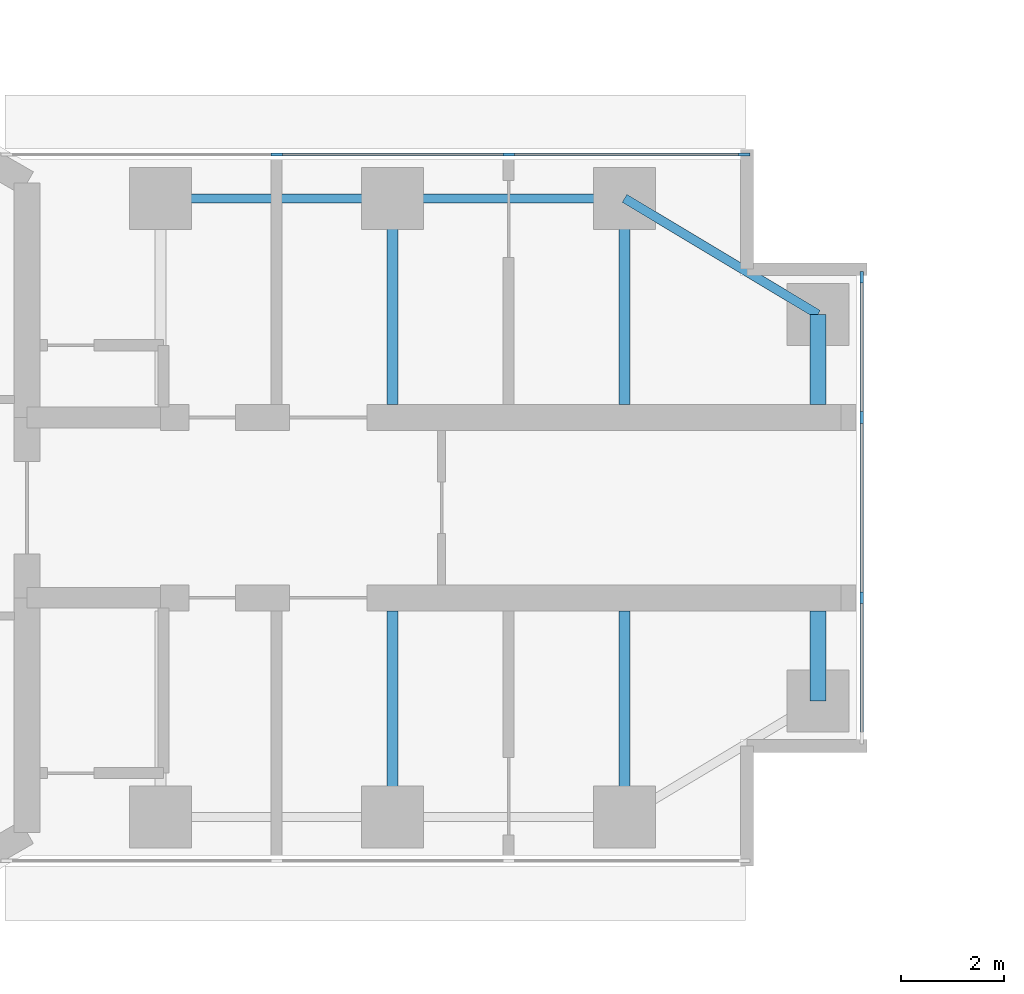
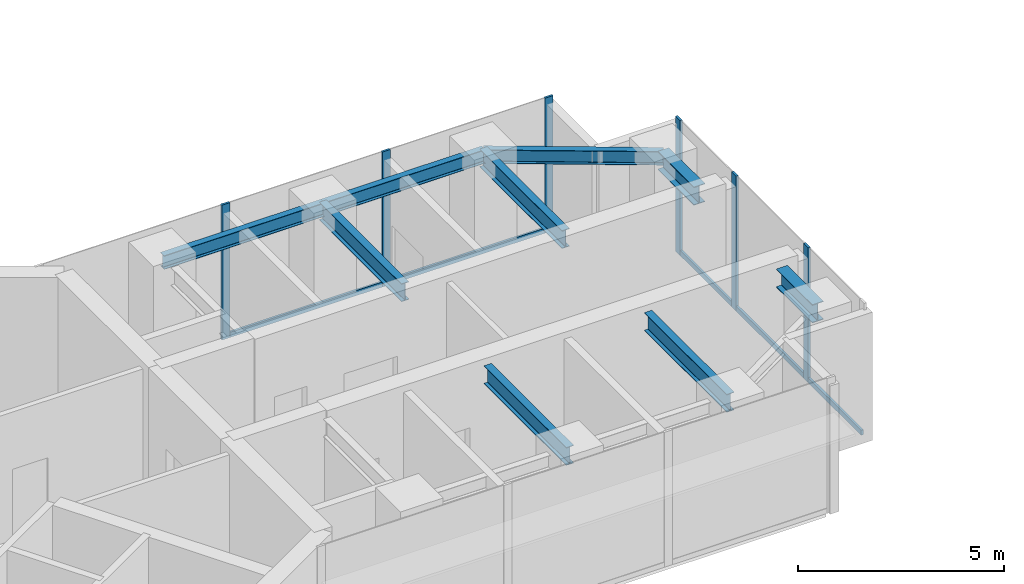
# One storey, part 7 of 17: 11 members, 9 beams, 2 elements without a shape of their own.
"""IFC4 building model written with IfcOpenShell, lengths in metres."""

import ifcopenshell
import ifcopenshell.guid

model = None  # the IFC model being written
_history = None  # IfcOwnerHistory: only IFC2X3 demands one
_inside = {}  # id of a spatial element -> (the spatial element, [elements in it])
_under = {}  # id of a project, library or spatial element -> (it, [spatial elements below it])
_declared = {}  # id of a project -> (the project, [libraries it declares])
_typed = {}  # id of a type object -> (the type object, [elements of that type])
_made_of = {}  # id of a material, layer set ... -> (it, [elements and type objects made of it])


def new_model(schema):
    """Start an empty IFC model of exactly this schema.

    Asked for "IFC4X3", IfcOpenShell would pick the latest addendum, in which some entities
    have other attributes; the version numbers below select the first issue.
    IFC2X3 requires an IfcOwnerHistory on every rooted entity: one is made here for all.
    """
    global model, _history
    if schema == "IFC4X3":
        model = ifcopenshell.file(schema_version=(4, 3, 0, 0))
    else:
        model = ifcopenshell.file(schema=schema)
    _inside.clear()
    _under.clear()
    _declared.clear()
    _typed.clear()
    _made_of.clear()
    _history = None
    if model.schema == "IFC2X3":
        org = make("IfcOrganization", Name="unknown")
        user = make(
            "IfcPersonAndOrganization",
            ThePerson=make("IfcPerson", FamilyName="unknown"),
            TheOrganization=org,
        )
        app = make(
            "IfcApplication",
            ApplicationDeveloper=org,
            Version="unknown",
            ApplicationFullName="unknown",
            ApplicationIdentifier="unknown",
        )
        _history = make(
            "IfcOwnerHistory",
            OwningUser=user,
            OwningApplication=app,
            ChangeAction="ADDED",
            CreationDate=0,
        )
    return model


def make(cls, **values):
    """One entity of the class cls with the attributes given. An attribute that is None is left unset."""
    return model.create_entity(
        cls, **{name: value for name, value in values.items() if value is not None}
    )


def rooted(cls, **values):
    """An entity with a GlobalId (a new one), such as an element, a storey or a relation."""
    return make(cls, GlobalId=ifcopenshell.guid.new(), OwnerHistory=_history, **values)


def si_unit(unit_type, name, prefix=None):
    """IfcSIUnit, for example si_unit("LENGTHUNIT", "METRE", prefix="MILLI")."""
    return make("IfcSIUnit", UnitType=unit_type, Prefix=prefix, Name=name)


def assignment(units):
    """IfcUnitAssignment: the units of a project."""
    return None if units is None else make("IfcUnitAssignment", Units=units)


def point(xyz):
    """IfcCartesianPoint."""
    return None if xyz is None else make("IfcCartesianPoint", Coordinates=xyz)


def direction(xyz):
    """IfcDirection."""
    return None if xyz is None else make("IfcDirection", DirectionRatios=xyz)


def frame(location, z_axis=None, x_axis=None):
    """IfcAxis2Placement3D, a coordinate frame: its origin and axes. An axis left out is left unset."""
    return make(
        "IfcAxis2Placement3D",
        Location=point(location),
        Axis=direction(z_axis),
        RefDirection=direction(x_axis),
    )


def frame_2d(location, x_axis=None):
    """IfcAxis2Placement2D, a coordinate frame in the plane: its origin and x axis."""
    return make(
        "IfcAxis2Placement2D", Location=point(location), RefDirection=direction(x_axis)
    )


def origin():
    """The frame at (0, 0, 0) with its axes left unset."""
    return frame((0.0, 0.0, 0.0))


def origin_2d():
    """The frame at (0, 0) in the plane with its x axis left unset."""
    return frame_2d((0.0, 0.0))


def place(relative_to, where):
    """IfcLocalPlacement: puts the frame where relative to a parent placement (None: the world)."""
    return make(
        "IfcLocalPlacement", PlacementRelTo=relative_to, RelativePlacement=where
    )


def context(
    kind, dimensions, precision=None, world=None, true_north=None, identifier=None
):
    """IfcGeometricRepresentationContext, for example the 3D "Model" context."""
    return make(
        "IfcGeometricRepresentationContext",
        ContextIdentifier=identifier,
        ContextType=kind,
        CoordinateSpaceDimension=dimensions,
        Precision=precision,
        WorldCoordinateSystem=world,
        TrueNorth=true_north,
    )


def subcontext(parent, identifier, kind, view, scale=None):
    """IfcGeometricRepresentationSubContext, for example "Body" below "Model"."""
    return make(
        "IfcGeometricRepresentationSubContext",
        ContextIdentifier=identifier,
        ContextType=kind,
        ParentContext=parent,
        TargetScale=scale,
        TargetView=view,
    )


def project(units=None, contexts=None):
    """IfcProject with its units and contexts."""
    return rooted(
        "IfcProject",
        Name="project",
        RepresentationContexts=contexts,
        UnitsInContext=assignment(units),
    )


def spatial(cls, under=None, at=None, **own):
    """A site, building, storey or space (cls), placed at a placement, below another one or the project."""
    s = rooted(cls, ObjectPlacement=at, **own)
    if under is not None:
        _under.setdefault(under.id(), (under, []))[1].append(s)
    return s


def profile(cls, at=None, kind="AREA", **sizes):
    """A parametric profile (cls). Its sizes go by their IFC names, for example OverallWidth=200.0."""
    return make(cls, ProfileType=kind, Position=at, **sizes)


def rectangle(**sizes):
    """IfcRectangleProfileDef."""
    return profile("IfcRectangleProfileDef", **sizes)


def i_section(**sizes):
    """IfcIShapeProfileDef."""
    return profile("IfcIShapeProfileDef", **sizes)


def extrude(swept, where, along, depth):
    """IfcExtrudedAreaSolid: the profile swept, set in the frame where, extruded along a direction by depth."""
    return make(
        "IfcExtrudedAreaSolid",
        SweptArea=swept,
        Position=where,
        ExtrudedDirection=direction(along),
        Depth=depth,
    )


def shape(context_of_items, identifier, shape_type, items):
    """IfcShapeRepresentation: the items that make up one representation, for example the "Body"."""
    return make(
        "IfcShapeRepresentation",
        ContextOfItems=context_of_items,
        RepresentationIdentifier=identifier,
        RepresentationType=shape_type,
        Items=items,
    )


def material(Name=None, Category=None):
    """IfcMaterial."""
    return make("IfcMaterial", Name=Name, Category=Category)


def material_profile(
    of_material, cross_section, Name=None, Category=None, Priority=None
):
    """IfcMaterialProfile: a cross section and its material."""
    return make(
        "IfcMaterialProfile",
        Name=Name,
        Material=of_material,
        Profile=cross_section,
        Priority=Priority,
        Category=Category,
    )


def profile_set(profiles, Name=None, composite=None):
    """IfcMaterialProfileSet."""
    return make(
        "IfcMaterialProfileSet",
        Name=Name,
        MaterialProfiles=profiles,
        CompositeProfile=composite,
    )


def made_of(thing, what):
    """Note that an element or type object is made of a material, layer set ...; save() writes the relation."""
    if what is not None:
        _made_of.setdefault(what.id(), (what, []))[1].append(thing)
    return thing


def type_object(cls, material=None, **own):
    """A type object (cls), such as IfcWallType, which elements share."""
    return made_of(rooted(cls, **own), material)


def element(
    cls,
    number,
    at=None,
    inside=None,
    cuts=None,
    type_object=None,
    material=None,
    context=None,
    identifier="Body",
    shape_type=None,
    held_by="IfcProductDefinitionShape",
    body=None,
    shapes=None,
    **own,
):
    """One element of the class cls, such as IfcWall. Its Tag is "e" and its number.

    at: its placement. inside: the storey or other place that contains it. cuts: it is an
    opening in that element (IfcRelVoidsElement). A single representation is given by context,
    identifier, shape_type and body (its items); several are given by shapes. held_by: the class
    of the entity that holds the representations. save() writes the other relations.
    """
    e = rooted(cls, Tag="e%d" % number, ObjectPlacement=at, **own)
    if body is not None:
        shapes = [shape(context, identifier, shape_type, body)]
    if shapes is not None:
        e.Representation = make(held_by, Representations=shapes)
    if inside is not None:
        _inside.setdefault(inside.id(), (inside, []))[1].append(e)
    if cuts is not None:
        rooted(
            "IfcRelVoidsElement", RelatingBuildingElement=cuts, RelatedOpeningElement=e
        )
    if type_object is not None:
        _typed.setdefault(type_object.id(), (type_object, []))[1].append(e)
    return made_of(e, material)


def aggregate(whole, parts):
    """IfcRelAggregates: a whole, such as a stair, and the parts it consists of."""
    return rooted("IfcRelAggregates", RelatingObject=whole, RelatedObjects=parts)


def save(model, path):
    """Write the relations noted so far, then the file.

    IfcRelAggregates (storeys below a building ...), IfcRelContainedInSpatialStructure (elements
    in a storey), IfcRelDefinesByType, IfcRelAssociatesMaterial and IfcRelDeclares: one each for
    every whole, place, type object, material and project.
    """
    for whole, parts in _under.values():
        aggregate(whole, parts)
    for where, things in _inside.values():
        rooted(
            "IfcRelContainedInSpatialStructure",
            RelatedElements=things,
            RelatingStructure=where,
        )
    for kind, things in _typed.values():
        rooted("IfcRelDefinesByType", RelatedObjects=things, RelatingType=kind)
    for what, things in _made_of.values():
        rooted("IfcRelAssociatesMaterial", RelatedObjects=things, RelatingMaterial=what)
    for by, libraries in _declared.values():
        rooted("IfcRelDeclares", RelatingContext=by, RelatedDefinitions=libraries)
    model.write(path)


model = new_model("IFC4")

# Units and contexts
model_context = context("Model", 3, precision=1e-05, world=origin(), true_north=direction((0.0, 1.0)))
body_context = subcontext(model_context, "Body", "Model", "MODEL_VIEW")
ifc_project = project(units=[si_unit("LENGTHUNIT", "METRE"), si_unit("AREAUNIT", "SQUARE_METRE"), si_unit("VOLUMEUNIT", "CUBIC_METRE"), si_unit("PLANEANGLEUNIT", "RADIAN"), si_unit("MASSUNIT", "GRAM", prefix="KILO")], contexts=[model_context])

# Site, building, storey
site_placement = place(None, origin())
site = spatial("IfcSite", under=ifc_project, at=site_placement, CompositionType="ELEMENT")
building_placement = place(site_placement, origin())
building = spatial("IfcBuilding", under=site, at=building_placement, Name="Upepo Twin Towers", CompositionType="ELEMENT")
storey_placement = place(building_placement, frame((0.0, 0.0, 186.5)))
storey = spatial("IfcBuildingStorey", under=building, at=storey_placement, Name="L45", CompositionType="ELEMENT", Elevation=186.5)

# Beams
ifc_material_1 = material(Name="Steel S355", Category="steel")
ifc_material_profile_1 = material_profile(ifc_material_1, i_section(OverallWidth=0.177978515625, OverallDepth=0.406494140625, WebThickness=0.0078125, FlangeThickness=0.0126953125, FilletRadius=0.01025390625, at=origin_2d()), Name="UB 406x178x60")
ifc_profile_set_1 = profile_set([ifc_material_profile_1], Name="Steel S355")
beam_type_1 = type_object("IfcBeamType", Name="Beam UB 406x178x60", PredefinedType="BEAM", material=ifc_profile_set_1)
for number, where, z_axis, x_axis, name in (
    (1, (13.5, 6.0, 3.5966796875), (1.0, 0.0, 0.0), (0.0, 1.0, 0.0), "T1 edge beam AL 13.5-18.0"),
    (2, (18.0, 6.0, 3.5966796875), (1.0, 0.0, 0.0), (0.0, 1.0, 0.0), "T1 edge beam AL 18.0-22.5"),
):
    element("IfcBeam", number, at=place(storey_placement, frame(where, z_axis=z_axis, x_axis=x_axis)), inside=storey, type_object=beam_type_1, Name=name, PredefinedType="BEAM", context=body_context, shape_type="SweptSolid", body=[
        extrude(i_section(OverallWidth=0.177978515625, OverallDepth=0.406494140625, WebThickness=0.0078125, FlangeThickness=0.0126953125, FilletRadius=0.01025390625, at=origin_2d()), origin(), (0.0, 0.0, 1.0), 4.5),
    ])
beam_placement = place(storey_placement, frame((22.5, 6.0, 3.5966796875), z_axis=(0.857492925713, -0.514495755428, 0.0), x_axis=(0.514495755428, 0.857492925713, 0.0)))
element("IfcBeam", 3, at=beam_placement, inside=storey, type_object=beam_type_1, Name="T1 nose edge beam AL", PredefinedType="BEAM", context=body_context, shape_type="SweptSolid", body=[
    extrude(i_section(OverallWidth=0.177978515625, OverallDepth=0.406494140625, WebThickness=0.0078125, FlangeThickness=0.0126953125, FilletRadius=0.01025390625, at=origin_2d()), origin(), (0.0, 0.0, 1.0), 4.373291015625),
])
ifc_material_2 = material(Name="Steel S355", Category="steel")
ifc_material_profile_2 = material_profile(ifc_material_2, i_section(OverallWidth=0.209228515625, OverallDepth=0.533203125, WebThickness=0.010009765625, FlangeThickness=0.015625, FilletRadius=0.0126953125, at=origin_2d()), Name="UB 533x210x92")
ifc_profile_set_2 = profile_set([ifc_material_profile_2], Name="Steel S355")
beam_type_2 = type_object("IfcBeamType", Name="Beam UB 533x210x92", PredefinedType="BEAM", material=ifc_profile_set_2)
for number, where, z_axis, x_axis, name in (
    (4, (18.0, 6.0, 3.533447265625), (0.0, -1.0, 0.0), (1.0, 0.0, 0.0), "T1 girder AL at 18.0"),
    (5, (22.5, 6.0, 3.533447265625), (0.0, -1.0, 0.0), (1.0, 0.0, 0.0), "T1 girder AL at 22.5"),
    (6, (18.0, -6.0, 3.533447265625), (0.0, 1.0, 0.0), (-1.0, 0.0, 0.0), "T1 girder AR at 18.0"),
    (7, (22.5, -6.0, 3.533447265625), (0.0, 1.0, 0.0), (-1.0, 0.0, 0.0), "T1 girder AR at 22.5"),
):
    element("IfcBeam", number, at=place(storey_placement, frame(where, z_axis=z_axis, x_axis=x_axis)), inside=storey, type_object=beam_type_2, Name=name, PredefinedType="BEAM", context=body_context, shape_type="SweptSolid", body=[
        extrude(i_section(OverallWidth=0.209228515625, OverallDepth=0.533203125, WebThickness=0.010009765625, FlangeThickness=0.015625, FilletRadius=0.0126953125, at=origin_2d()), origin(), (0.0, 0.0, 1.0), 4.0),
    ])
ifc_material_3 = material(Name="Steel S355", Category="steel")
ifc_material_profile_3 = material_profile(ifc_material_3, i_section(OverallWidth=0.31201171875, OverallDepth=0.54345703125, WebThickness=0.0126953125, FlangeThickness=0.020263671875, FilletRadius=0.0126953125, at=origin_2d()), Name="UB 533x312x150")
ifc_profile_set_3 = profile_set([ifc_material_profile_3], Name="Steel S355")
beam_type_3 = type_object("IfcBeamType", Name="Beam UB 533x312x150", PredefinedType="BEAM", material=ifc_profile_set_3)
for number, where, z_axis, x_axis, name in (
    (8, (26.25, 3.75, 3.5283203125), (0.0, -1.0, 0.0), (1.0, 0.0, 0.0), "T1 nose beam AL"),
    (9, (26.25, -3.75, 3.5283203125), (0.0, 1.0, 0.0), (-1.0, 0.0, 0.0), "T1 nose beam AR"),
):
    element("IfcBeam", number, at=place(storey_placement, frame(where, z_axis=z_axis, x_axis=x_axis)), inside=storey, type_object=beam_type_3, Name=name, PredefinedType="BEAM", context=body_context, shape_type="SweptSolid", body=[
        extrude(i_section(OverallWidth=0.31201171875, OverallDepth=0.54345703125, WebThickness=0.0126953125, FlangeThickness=0.020263671875, FilletRadius=0.0126953125, at=origin_2d()), origin(), (0.0, 0.0, 1.0), 1.75),
    ])

# Curtain wall, members
ifc_material_4 = material(Name="Aluminium and fritted glass", Category="aluminium")
curtain_wall_type = type_object("IfcCurtainWallType", Name="Tower curtain wall TW3, fritted glass", PredefinedType="NOTDEFINED", material=ifc_material_4)
curtain_wall_1_placement = place(storey_placement, origin())
curtain_wall_1 = element("IfcCurtainWall", 10, at=curtain_wall_1_placement, inside=storey, type_object=curtain_wall_type, Name="T1 L45 wing A flank L curtain wall", PredefinedType="NOTDEFINED")
ifc_material_5 = material(Name="Aluminium mullion", Category="aluminium")
ifc_material_profile_4 = material_profile(ifc_material_5, rectangle(XDim=0.06494140625, YDim=0.22509765625, at=origin_2d()), Name="MULLION 65x225")
ifc_profile_set_4 = profile_set([ifc_material_profile_4], Name="Aluminium mullion")
member_type_1 = type_object("IfcMemberType", Name="Mullion 65x225 TW3", PredefinedType="MULLION", material=ifc_profile_set_4)
member_1_placement = place(storey_placement, frame((15.75, 6.85009765625, 0.0), z_axis=(0.0, 0.0, 1.0), x_axis=(0.0, 1.0, 0.0)))
member_1 = element("IfcMember", 11, at=member_1_placement, type_object=member_type_1, Name="T1 L45 wing A flank L curtain wall mullion 2", PredefinedType="MULLION", context=body_context, shape_type="SweptSolid", body=[
    extrude(rectangle(XDim=0.06494140625, YDim=0.22509765625, at=origin_2d()), origin(), (0.0, 0.0, 1.0), 4.0),
])
member_2_placement = place(storey_placement, frame((20.25, 6.85009765625, 0.0), z_axis=(0.0, 0.0, 1.0), x_axis=(0.0, 1.0, 0.0)))
member_2 = element("IfcMember", 12, at=member_2_placement, type_object=member_type_1, Name="T1 L45 wing A flank L curtain wall mullion 3", PredefinedType="MULLION", context=body_context, shape_type="SweptSolid", body=[
    extrude(rectangle(XDim=0.06494140625, YDim=0.22509765625, at=origin_2d()), origin(), (0.0, 0.0, 1.0), 4.0),
])
member_3_placement = place(storey_placement, frame((24.8173828125, 6.85009765625, 0.0), z_axis=(0.0, 0.0, 1.0), x_axis=(0.0, 1.0, 0.0)))
member_3 = element("IfcMember", 13, at=member_3_placement, type_object=member_type_1, Name="T1 L45 wing A flank L curtain wall mullion 4", PredefinedType="MULLION", context=body_context, shape_type="SweptSolid", body=[
    extrude(rectangle(XDim=0.06494140625, YDim=0.22509765625, at=origin_2d()), origin(), (0.0, 0.0, 1.0), 4.0),
])

curtain_wall_2_placement = place(storey_placement, origin())
curtain_wall_2 = element("IfcCurtainWall", 14, at=curtain_wall_2_placement, inside=storey, type_object=curtain_wall_type, Name="T1 L45 wing A nose curtain wall", PredefinedType="NOTDEFINED")
member_4_placement = place(storey_placement, frame((27.10009765625, -1.75, 0.0), z_axis=(0.0, 0.0, 1.0), x_axis=(-1.0, 0.0, 0.0)))
member_4 = element("IfcMember", 15, at=member_4_placement, type_object=member_type_1, Name="T1 L45 wing A nose curtain wall mullion 2", PredefinedType="MULLION", context=body_context, shape_type="SweptSolid", body=[
    extrude(rectangle(XDim=0.06494140625, YDim=0.22509765625, at=origin_2d()), origin(), (0.0, 0.0, 1.0), 4.0),
])
member_5_placement = place(storey_placement, frame((27.10009765625, 1.75, 0.0), z_axis=(0.0, 0.0, 1.0), x_axis=(-1.0, 0.0, 0.0)))
member_5 = element("IfcMember", 16, at=member_5_placement, type_object=member_type_1, Name="T1 L45 wing A nose curtain wall mullion 3", PredefinedType="MULLION", context=body_context, shape_type="SweptSolid", body=[
    extrude(rectangle(XDim=0.06494140625, YDim=0.22509765625, at=origin_2d()), origin(), (0.0, 0.0, 1.0), 4.0),
])
member_6_placement = place(storey_placement, frame((27.10009765625, 4.467529296875, 0.0), z_axis=(0.0, 0.0, 1.0), x_axis=(-1.0, 0.0, 0.0)))
member_6 = element("IfcMember", 17, at=member_6_placement, type_object=member_type_1, Name="T1 L45 wing A nose curtain wall mullion 4", PredefinedType="MULLION", context=body_context, shape_type="SweptSolid", body=[
    extrude(rectangle(XDim=0.06494140625, YDim=0.22509765625, at=origin_2d()), origin(), (0.0, 0.0, 1.0), 4.0),
])

# Member
ifc_material_6 = material(Name="Aluminium transom", Category="aluminium")
ifc_material_profile_5 = material_profile(ifc_material_6, rectangle(XDim=0.06494140625, YDim=0.14990234375, at=origin_2d()), Name="TRANSOM 65x150")
ifc_profile_set_5 = profile_set([ifc_material_profile_5], Name="Aluminium transom")
member_type_2 = type_object("IfcMemberType", Name="Transom 65x150 TW3", PredefinedType="USERDEFINED", material=ifc_profile_set_5)
member_7_placement = place(storey_placement, frame((15.782470703125, 6.85009765625, 0.074951171875), z_axis=(1.0, 0.0, 0.0), x_axis=(0.0, 1.0, 0.0)))
member_7 = element("IfcMember", 18, at=member_7_placement, type_object=member_type_2, Name="T1 L45 wing A flank L curtain wall transom 2", ObjectType="TRANSOM", PredefinedType="USERDEFINED", context=body_context, shape_type="SweptSolid", body=[
    extrude(rectangle(XDim=0.06494140625, YDim=0.14990234375, at=origin_2d()), origin(), (0.0, 0.0, 1.0), 4.43505859375),
])

member_8_placement = place(storey_placement, frame((20.282470703125, 6.85009765625, 0.074951171875), z_axis=(1.0, 0.0, 0.0), x_axis=(0.0, 1.0, 0.0)))
member_8 = element("IfcMember", 19, at=member_8_placement, type_object=member_type_2, Name="T1 L45 wing A flank L curtain wall transom 3", ObjectType="TRANSOM", PredefinedType="USERDEFINED", context=body_context, shape_type="SweptSolid", body=[
    extrude(rectangle(XDim=0.06494140625, YDim=0.14990234375, at=origin_2d()), origin(), (0.0, 0.0, 1.0), 4.50244140625),
])

aggregate(curtain_wall_1, [member_1, member_2, member_3, member_7, member_8])

member_9_placement = place(storey_placement, frame((27.10009765625, -4.43505859375, 0.074951171875), z_axis=(0.0, 1.0, 0.0), x_axis=(-1.0, 0.0, 0.0)))
member_9 = element("IfcMember", 20, at=member_9_placement, type_object=member_type_2, Name="T1 L45 wing A nose curtain wall transom 1", ObjectType="TRANSOM", PredefinedType="USERDEFINED", context=body_context, shape_type="SweptSolid", body=[
    extrude(rectangle(XDim=0.06494140625, YDim=0.14990234375, at=origin_2d()), origin(), (0.0, 0.0, 1.0), 2.652587890625),
])

member_10_placement = place(storey_placement, frame((27.10009765625, -1.717529296875, 0.074951171875), z_axis=(0.0, 1.0, 0.0), x_axis=(-1.0, 0.0, 0.0)))
member_10 = element("IfcMember", 21, at=member_10_placement, type_object=member_type_2, Name="T1 L45 wing A nose curtain wall transom 2", ObjectType="TRANSOM", PredefinedType="USERDEFINED", context=body_context, shape_type="SweptSolid", body=[
    extrude(rectangle(XDim=0.06494140625, YDim=0.14990234375, at=origin_2d()), origin(), (0.0, 0.0, 1.0), 3.43505859375),
])

member_11_placement = place(storey_placement, frame((27.10009765625, 1.782470703125, 0.074951171875), z_axis=(0.0, 1.0, 0.0), x_axis=(-1.0, 0.0, 0.0)))
member_11 = element("IfcMember", 22, at=member_11_placement, type_object=member_type_2, Name="T1 L45 wing A nose curtain wall transom 3", ObjectType="TRANSOM", PredefinedType="USERDEFINED", context=body_context, shape_type="SweptSolid", body=[
    extrude(rectangle(XDim=0.06494140625, YDim=0.14990234375, at=origin_2d()), origin(), (0.0, 0.0, 1.0), 2.652587890625),
])

aggregate(curtain_wall_2, [member_4, member_5, member_6, member_9, member_10, member_11])

save(model, "model.ifc")
